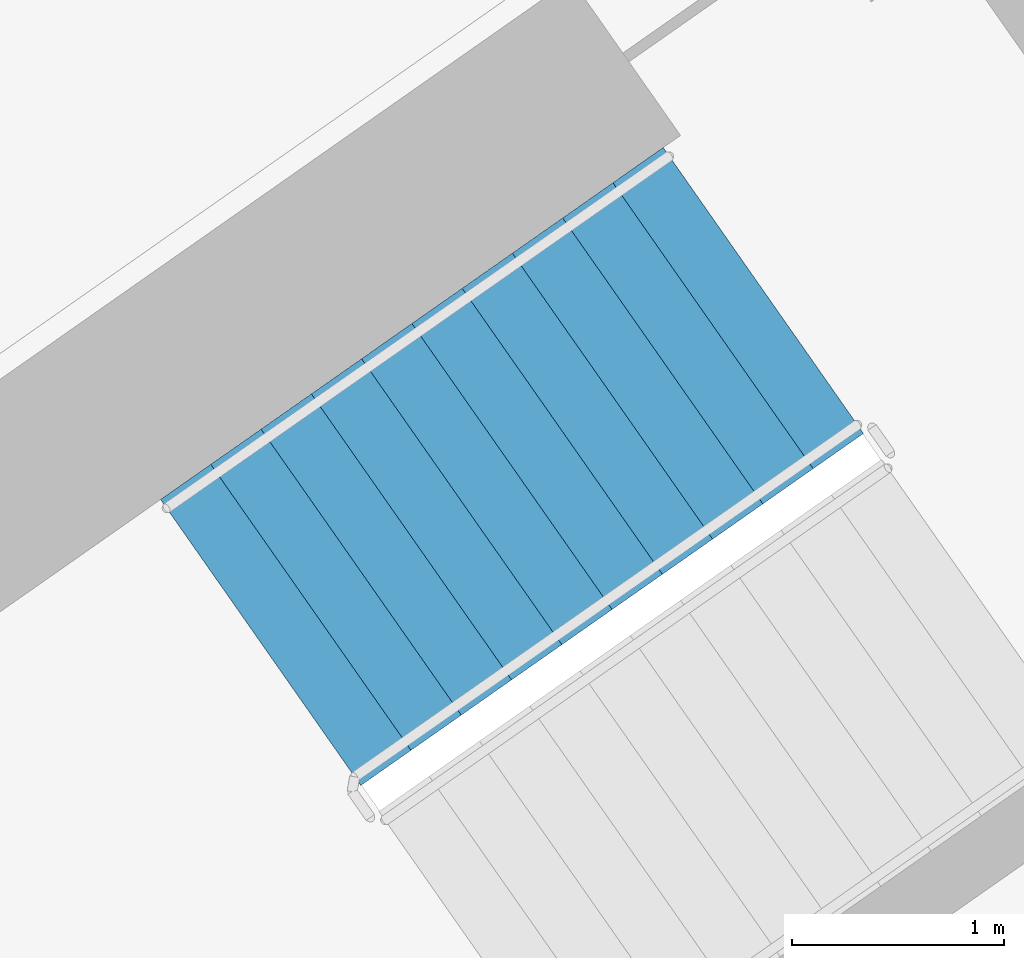
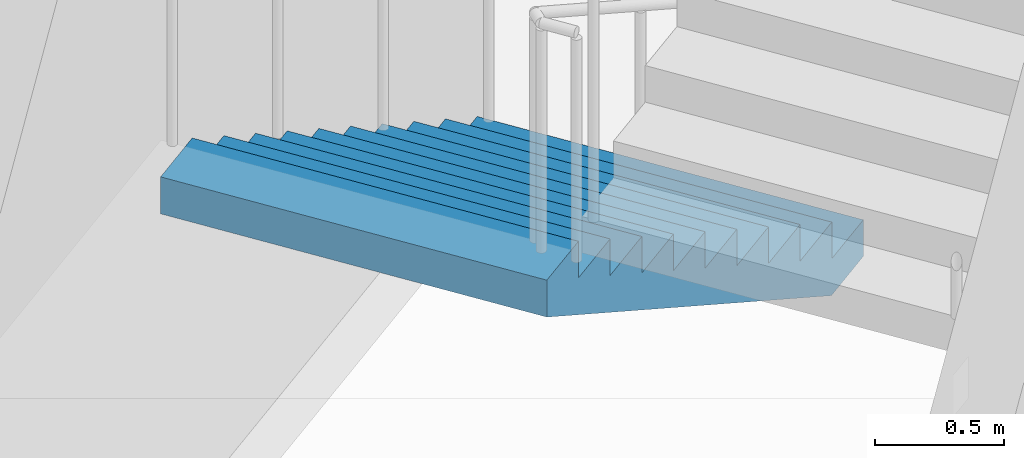
# One storey, part 17 of 31: 1 stair flight, 1 element without a shape of its own.
"""IFC4 building model written with IfcOpenShell, lengths in metres."""

from ifc_helpers import new_model, si_unit, direction, frame, origin, place, context, subcontext, project, spatial, faceted_brep, material, type_object, element, aggregate, save


model = new_model("IFC4")

# Units and contexts
model_context = context("Model", 3, precision=1e-05, world=origin(), true_north=direction((0.0, 1.0)))
body_context = subcontext(model_context, "Body", "Model", "MODEL_VIEW")
ifc_project = project(units=[si_unit("LENGTHUNIT", "METRE"), si_unit("AREAUNIT", "SQUARE_METRE"), si_unit("VOLUMEUNIT", "CUBIC_METRE"), si_unit("PLANEANGLEUNIT", "RADIAN"), si_unit("MASSUNIT", "GRAM", prefix="KILO")], contexts=[model_context])

# Site, building, storey
site_placement = place(None, origin())
site = spatial("IfcSite", under=ifc_project, at=site_placement, CompositionType="ELEMENT")
building_placement = place(site_placement, origin())
building = spatial("IfcBuilding", under=site, at=building_placement, Name="Qamariyya Broadcast Tower", CompositionType="ELEMENT")
storey_placement = place(building_placement, frame((0.0, 0.0, 82.300048828125)))
storey = spatial("IfcBuildingStorey", under=building, at=storey_placement, Name="L17", CompositionType="ELEMENT", Elevation=82.300048828125)

# Stair, stair flight
ifc_material = material(Name="Concrete C50/60", Category="concrete")
stair_type = type_object("IfcStairType", Name="Exit stair 22 risers of 173 mm", PredefinedType="HALF_TURN_STAIR", material=ifc_material)
stair_placement = place(storey_placement, origin())
stair = element("IfcStair", 1, at=stair_placement, inside=storey, type_object=stair_type, Name="L17 Stair E2", PredefinedType="HALF_TURN_STAIR")
stair_flight_type = type_object("IfcStairFlightType", Name="Exit stair flight 11 risers of 173 mm", PredefinedType="STRAIGHT", material=ifc_material)
stair_flight_placement = place(storey_placement, frame((40.558837890625, -47.685302734375, 0.0), z_axis=(0.0, 0.0, 1.0), x_axis=(-0.819152044289, -0.573576436351, 0.0)))
stair_flight = element("IfcStairFlight", 2, at=stair_flight_placement, type_object=stair_flight_type, Name="ST-E2 flight 1", NumberOfRisers=11, NumberOfTreads=10, PredefinedType="STRAIGHT", RiserHeight=0.172727273, TreadLength=0.29, context=body_context, shape_type="Brep", body=[
    faceted_brep([(0.0, 0.824951171875, 0.0), (0.0, 0.824951171875, 0.172607421875), (0.2900390625, 0.824951171875, 0.172607421875), (0.2900390625, 0.824951171875, 0.345458984375), (0.580078125, 0.824951171875, 0.345458984375), (0.580078125, 0.824951171875, 0.51806640625), (0.8701171875, 0.824951171875, 0.51806640625), (0.8701171875, 0.824951171875, 0.69091796875), (1.159912109375, 0.824951171875, 0.69091796875), (1.159912109375, 0.824951171875, 0.863525390625), (1.449951171875, 0.824951171875, 0.863525390625), (1.449951171875, 0.824951171875, 1.036376953125), (1.739990234375, 0.824951171875, 1.036376953125), (1.739990234375, 0.824951171875, 1.208984375), (2.030029296875, 0.824951171875, 1.208984375), (2.030029296875, 0.824951171875, 1.3818359375), (2.320068359375, 0.824951171875, 1.3818359375), (2.320068359375, 0.824951171875, 1.554443359375), (2.610107421875, 0.824951171875, 1.554443359375), (2.610107421875, 0.824951171875, 1.727294921875), (2.89990234375, 0.824951171875, 1.727294921875), (2.89990234375, 0.824951171875, 1.552734375), (0.29296875, 0.824951171875, 0.0), (0.29296875, -0.824951171875, 0.0), (2.89990234375, -0.824951171875, 1.552734375), (2.89990234375, -0.824951171875, 1.727294921875), (2.610107421875, -0.824951171875, 1.727294921875), (2.610107421875, -0.824951171875, 1.554443359375), (2.320068359375, -0.824951171875, 1.554443359375), (2.320068359375, -0.824951171875, 1.3818359375), (2.030029296875, -0.824951171875, 1.3818359375), (2.030029296875, -0.824951171875, 1.208984375), (1.739990234375, -0.824951171875, 1.208984375), (1.739990234375, -0.824951171875, 1.036376953125), (1.449951171875, -0.824951171875, 1.036376953125), (1.449951171875, -0.824951171875, 0.863525390625), (1.159912109375, -0.824951171875, 0.863525390625), (1.159912109375, -0.824951171875, 0.69091796875), (0.8701171875, -0.824951171875, 0.69091796875), (0.8701171875, -0.824951171875, 0.51806640625), (0.580078125, -0.824951171875, 0.51806640625), (0.580078125, -0.824951171875, 0.345458984375), (0.2900390625, -0.824951171875, 0.345458984375), (0.2900390625, -0.824951171875, 0.172607421875), (0.0, -0.824951171875, 0.172607421875), (0.0, -0.824951171875, 0.0), (0.0, 0.10009765625, 0.0), (0.0, 0.086669921875, 0.0), (0.0, 0.0732421875, 0.0), (0.0, 0.06005859375, 0.0), (0.0, 0.046630859375, 0.0), (0.0, 0.033447265625, 0.0), (0.0, 0.02001953125, 0.0), (0.0, 0.006591796875, 0.0), (0.0, -0.006591796875, 0.0), (0.0, -0.02001953125, 0.0), (0.0, -0.033447265625, 0.0), (0.0, -0.046630859375, 0.0), (0.0, -0.06005859375, 0.0), (0.0, -0.0732421875, 0.0), (0.0, -0.086669921875, 0.0), (0.0, -0.10009765625, 0.0), (0.0, -0.10009765625, 0.172607421875), (0.0, -0.086669921875, 0.172607421875), (0.0, -0.0732421875, 0.172607421875), (0.0, -0.06005859375, 0.172607421875), (0.0, -0.046630859375, 0.172607421875), (0.0, -0.033447265625, 0.172607421875), (0.0, -0.02001953125, 0.172607421875), (0.0, -0.006591796875, 0.172607421875), (0.0, 0.006591796875, 0.172607421875), (0.0, 0.02001953125, 0.172607421875), (0.0, 0.033447265625, 0.172607421875), (0.0, 0.046630859375, 0.172607421875), (0.0, 0.06005859375, 0.172607421875), (0.0, 0.0732421875, 0.172607421875), (0.0, 0.086669921875, 0.172607421875), (0.0, 0.10009765625, 0.172607421875), (0.2900390625, -0.10009765625, 0.172607421875), (0.2900390625, -0.086669921875, 0.172607421875), (0.2900390625, -0.0732421875, 0.172607421875), (0.2900390625, -0.06005859375, 0.172607421875), (0.2900390625, -0.046630859375, 0.172607421875), (0.2900390625, -0.033447265625, 0.172607421875), (0.2900390625, -0.02001953125, 0.172607421875), (0.2900390625, -0.006591796875, 0.172607421875), (0.2900390625, 0.006591796875, 0.172607421875), (0.2900390625, 0.02001953125, 0.172607421875), (0.2900390625, 0.033447265625, 0.172607421875), (0.2900390625, 0.046630859375, 0.172607421875), (0.2900390625, 0.06005859375, 0.172607421875), (0.2900390625, 0.0732421875, 0.172607421875), (0.2900390625, 0.086669921875, 0.172607421875), (0.2900390625, 0.10009765625, 0.172607421875), (0.2900390625, -0.10009765625, 0.345458984375), (0.2900390625, -0.086669921875, 0.345458984375), (0.2900390625, -0.0732421875, 0.345458984375), (0.2900390625, -0.06005859375, 0.345458984375), (0.2900390625, -0.046630859375, 0.345458984375), (0.2900390625, -0.033447265625, 0.345458984375), (0.2900390625, -0.02001953125, 0.345458984375), (0.2900390625, -0.006591796875, 0.345458984375), (0.2900390625, 0.006591796875, 0.345458984375), (0.2900390625, 0.02001953125, 0.345458984375), (0.2900390625, 0.033447265625, 0.345458984375), (0.2900390625, 0.046630859375, 0.345458984375), (0.2900390625, 0.06005859375, 0.345458984375), (0.2900390625, 0.0732421875, 0.345458984375), (0.2900390625, 0.086669921875, 0.345458984375), (0.2900390625, 0.10009765625, 0.345458984375), (0.580078125, -0.10009765625, 0.345458984375), (0.580078125, -0.086669921875, 0.345458984375), (0.580078125, -0.0732421875, 0.345458984375), (0.580078125, -0.06005859375, 0.345458984375), (0.580078125, -0.046630859375, 0.345458984375), (0.580078125, -0.033447265625, 0.345458984375), (0.580078125, -0.02001953125, 0.345458984375), (0.580078125, -0.006591796875, 0.345458984375), (0.580078125, 0.006591796875, 0.345458984375), (0.580078125, 0.02001953125, 0.345458984375), (0.580078125, 0.033447265625, 0.345458984375), (0.580078125, 0.046630859375, 0.345458984375), (0.580078125, 0.06005859375, 0.345458984375), (0.580078125, 0.0732421875, 0.345458984375), (0.580078125, 0.086669921875, 0.345458984375), (0.580078125, 0.10009765625, 0.345458984375), (0.580078125, -0.10009765625, 0.51806640625), (0.580078125, -0.086669921875, 0.51806640625), (0.580078125, -0.0732421875, 0.51806640625), (0.580078125, -0.06005859375, 0.51806640625), (0.580078125, -0.046630859375, 0.51806640625), (0.580078125, -0.033447265625, 0.51806640625), (0.580078125, -0.02001953125, 0.51806640625), (0.580078125, -0.006591796875, 0.51806640625), (0.580078125, 0.006591796875, 0.51806640625), (0.580078125, 0.02001953125, 0.51806640625), (0.580078125, 0.033447265625, 0.51806640625), (0.580078125, 0.046630859375, 0.51806640625), (0.580078125, 0.06005859375, 0.51806640625), (0.580078125, 0.0732421875, 0.51806640625), (0.580078125, 0.086669921875, 0.51806640625), (0.580078125, 0.10009765625, 0.51806640625), (0.8701171875, -0.10009765625, 0.51806640625), (0.8701171875, -0.086669921875, 0.51806640625), (0.8701171875, -0.0732421875, 0.51806640625), (0.8701171875, -0.06005859375, 0.51806640625), (0.8701171875, -0.046630859375, 0.51806640625), (0.8701171875, -0.033447265625, 0.51806640625), (0.8701171875, -0.02001953125, 0.51806640625), (0.8701171875, -0.006591796875, 0.51806640625), (0.8701171875, 0.006591796875, 0.51806640625), (0.8701171875, 0.02001953125, 0.51806640625), (0.8701171875, 0.033447265625, 0.51806640625), (0.8701171875, 0.046630859375, 0.51806640625), (0.8701171875, 0.06005859375, 0.51806640625), (0.8701171875, 0.0732421875, 0.51806640625), (0.8701171875, 0.086669921875, 0.51806640625), (0.8701171875, 0.10009765625, 0.51806640625), (0.8701171875, -0.10009765625, 0.69091796875), (0.8701171875, -0.086669921875, 0.69091796875), (0.8701171875, -0.0732421875, 0.69091796875), (0.8701171875, -0.06005859375, 0.69091796875), (0.8701171875, -0.046630859375, 0.69091796875), (0.8701171875, -0.033447265625, 0.69091796875), (0.8701171875, -0.02001953125, 0.69091796875), (0.8701171875, -0.006591796875, 0.69091796875), (0.8701171875, 0.006591796875, 0.69091796875), (0.8701171875, 0.02001953125, 0.69091796875), (0.8701171875, 0.033447265625, 0.69091796875), (0.8701171875, 0.046630859375, 0.69091796875), (0.8701171875, 0.06005859375, 0.69091796875), (0.8701171875, 0.0732421875, 0.69091796875), (0.8701171875, 0.086669921875, 0.69091796875), (0.8701171875, 0.10009765625, 0.69091796875), (1.159912109375, -0.10009765625, 0.69091796875), (1.159912109375, -0.086669921875, 0.69091796875), (1.159912109375, -0.0732421875, 0.69091796875), (1.159912109375, -0.06005859375, 0.69091796875), (1.159912109375, -0.046630859375, 0.69091796875), (1.159912109375, -0.033447265625, 0.69091796875), (1.159912109375, -0.02001953125, 0.69091796875), (1.159912109375, -0.006591796875, 0.69091796875), (1.159912109375, 0.006591796875, 0.69091796875), (1.159912109375, 0.02001953125, 0.69091796875), (1.159912109375, 0.033447265625, 0.69091796875), (1.159912109375, 0.046630859375, 0.69091796875), (1.159912109375, 0.06005859375, 0.69091796875), (1.159912109375, 0.0732421875, 0.69091796875), (1.159912109375, 0.086669921875, 0.69091796875), (1.159912109375, 0.10009765625, 0.69091796875), (1.159912109375, -0.10009765625, 0.863525390625), (1.159912109375, -0.086669921875, 0.863525390625), (1.159912109375, -0.0732421875, 0.863525390625), (1.159912109375, -0.06005859375, 0.863525390625), (1.159912109375, -0.046630859375, 0.863525390625), (1.159912109375, -0.033447265625, 0.863525390625), (1.159912109375, -0.02001953125, 0.863525390625), (1.159912109375, -0.006591796875, 0.863525390625), (1.159912109375, 0.006591796875, 0.863525390625), (1.159912109375, 0.02001953125, 0.863525390625), (1.159912109375, 0.033447265625, 0.863525390625), (1.159912109375, 0.046630859375, 0.863525390625), (1.159912109375, 0.06005859375, 0.863525390625), (1.159912109375, 0.0732421875, 0.863525390625), (1.159912109375, 0.086669921875, 0.863525390625), (1.159912109375, 0.10009765625, 0.863525390625), (1.449951171875, -0.10009765625, 0.863525390625), (1.449951171875, -0.086669921875, 0.863525390625), (1.449951171875, -0.0732421875, 0.863525390625), (1.449951171875, -0.06005859375, 0.863525390625), (1.449951171875, -0.046630859375, 0.863525390625), (1.449951171875, -0.033447265625, 0.863525390625), (1.449951171875, -0.02001953125, 0.863525390625), (1.449951171875, -0.006591796875, 0.863525390625), (1.449951171875, 0.006591796875, 0.863525390625), (1.449951171875, 0.02001953125, 0.863525390625), (1.449951171875, 0.033447265625, 0.863525390625), (1.449951171875, 0.046630859375, 0.863525390625), (1.449951171875, 0.06005859375, 0.863525390625), (1.449951171875, 0.0732421875, 0.863525390625), (1.449951171875, 0.086669921875, 0.863525390625), (1.449951171875, 0.10009765625, 0.863525390625), (1.449951171875, -0.10009765625, 1.036376953125), (1.449951171875, -0.086669921875, 1.036376953125), (1.449951171875, -0.0732421875, 1.036376953125), (1.449951171875, -0.06005859375, 1.036376953125), (1.449951171875, -0.046630859375, 1.036376953125), (1.449951171875, -0.033447265625, 1.036376953125), (1.449951171875, -0.02001953125, 1.036376953125), (1.449951171875, -0.006591796875, 1.036376953125), (1.449951171875, 0.006591796875, 1.036376953125), (1.449951171875, 0.02001953125, 1.036376953125), (1.449951171875, 0.033447265625, 1.036376953125), (1.449951171875, 0.046630859375, 1.036376953125), (1.449951171875, 0.06005859375, 1.036376953125), (1.449951171875, 0.0732421875, 1.036376953125), (1.449951171875, 0.086669921875, 1.036376953125), (1.449951171875, 0.10009765625, 1.036376953125), (1.739990234375, -0.10009765625, 1.036376953125), (1.739990234375, -0.086669921875, 1.036376953125), (1.739990234375, -0.0732421875, 1.036376953125), (1.739990234375, -0.06005859375, 1.036376953125), (1.739990234375, -0.046630859375, 1.036376953125), (1.739990234375, -0.033447265625, 1.036376953125), (1.739990234375, -0.02001953125, 1.036376953125), (1.739990234375, -0.006591796875, 1.036376953125), (1.739990234375, 0.006591796875, 1.036376953125), (1.739990234375, 0.02001953125, 1.036376953125), (1.739990234375, 0.033447265625, 1.036376953125), (1.739990234375, 0.046630859375, 1.036376953125), (1.739990234375, 0.06005859375, 1.036376953125), (1.739990234375, 0.0732421875, 1.036376953125), (1.739990234375, 0.086669921875, 1.036376953125), (1.739990234375, 0.10009765625, 1.036376953125), (1.739990234375, -0.10009765625, 1.208984375), (1.739990234375, -0.086669921875, 1.208984375), (1.739990234375, -0.0732421875, 1.208984375), (1.739990234375, -0.06005859375, 1.208984375), (1.739990234375, -0.046630859375, 1.208984375), (1.739990234375, -0.033447265625, 1.208984375), (1.739990234375, -0.02001953125, 1.208984375), (1.739990234375, -0.006591796875, 1.208984375), (1.739990234375, 0.006591796875, 1.208984375), (1.739990234375, 0.02001953125, 1.208984375), (1.739990234375, 0.033447265625, 1.208984375), (1.739990234375, 0.046630859375, 1.208984375), (1.739990234375, 0.06005859375, 1.208984375), (1.739990234375, 0.0732421875, 1.208984375), (1.739990234375, 0.086669921875, 1.208984375), (1.739990234375, 0.10009765625, 1.208984375), (2.030029296875, -0.10009765625, 1.208984375), (2.030029296875, -0.086669921875, 1.208984375), (2.030029296875, -0.0732421875, 1.208984375), (2.030029296875, -0.06005859375, 1.208984375), (2.030029296875, -0.046630859375, 1.208984375), (2.030029296875, -0.033447265625, 1.208984375), (2.030029296875, -0.02001953125, 1.208984375), (2.030029296875, -0.006591796875, 1.208984375), (2.030029296875, 0.006591796875, 1.208984375), (2.030029296875, 0.02001953125, 1.208984375), (2.030029296875, 0.033447265625, 1.208984375), (2.030029296875, 0.046630859375, 1.208984375), (2.030029296875, 0.06005859375, 1.208984375), (2.030029296875, 0.0732421875, 1.208984375), (2.030029296875, 0.086669921875, 1.208984375), (2.030029296875, 0.10009765625, 1.208984375), (2.030029296875, -0.10009765625, 1.3818359375), (2.030029296875, -0.086669921875, 1.3818359375), (2.030029296875, -0.0732421875, 1.3818359375), (2.030029296875, -0.06005859375, 1.3818359375), (2.030029296875, -0.046630859375, 1.3818359375), (2.030029296875, -0.033447265625, 1.3818359375), (2.030029296875, -0.02001953125, 1.3818359375), (2.030029296875, -0.006591796875, 1.3818359375), (2.030029296875, 0.006591796875, 1.3818359375), (2.030029296875, 0.02001953125, 1.3818359375), (2.030029296875, 0.033447265625, 1.3818359375), (2.030029296875, 0.046630859375, 1.3818359375), (2.030029296875, 0.06005859375, 1.3818359375), (2.030029296875, 0.0732421875, 1.3818359375), (2.030029296875, 0.086669921875, 1.3818359375), (2.030029296875, 0.10009765625, 1.3818359375), (2.320068359375, -0.10009765625, 1.3818359375), (2.320068359375, -0.086669921875, 1.3818359375), (2.320068359375, -0.0732421875, 1.3818359375), (2.320068359375, -0.06005859375, 1.3818359375), (2.320068359375, -0.046630859375, 1.3818359375), (2.320068359375, -0.033447265625, 1.3818359375), (2.320068359375, -0.02001953125, 1.3818359375), (2.320068359375, -0.006591796875, 1.3818359375), (2.320068359375, 0.006591796875, 1.3818359375), (2.320068359375, 0.02001953125, 1.3818359375), (2.320068359375, 0.033447265625, 1.3818359375), (2.320068359375, 0.046630859375, 1.3818359375), (2.320068359375, 0.06005859375, 1.3818359375), (2.320068359375, 0.0732421875, 1.3818359375), (2.320068359375, 0.086669921875, 1.3818359375), (2.320068359375, 0.10009765625, 1.3818359375), (2.320068359375, -0.10009765625, 1.554443359375), (2.320068359375, -0.086669921875, 1.554443359375), (2.320068359375, -0.0732421875, 1.554443359375), (2.320068359375, -0.06005859375, 1.554443359375), (2.320068359375, -0.046630859375, 1.554443359375), (2.320068359375, -0.033447265625, 1.554443359375), (2.320068359375, -0.02001953125, 1.554443359375), (2.320068359375, -0.006591796875, 1.554443359375), (2.320068359375, 0.006591796875, 1.554443359375), (2.320068359375, 0.02001953125, 1.554443359375), (2.320068359375, 0.033447265625, 1.554443359375), (2.320068359375, 0.046630859375, 1.554443359375), (2.320068359375, 0.06005859375, 1.554443359375), (2.320068359375, 0.0732421875, 1.554443359375), (2.320068359375, 0.086669921875, 1.554443359375), (2.320068359375, 0.10009765625, 1.554443359375), (2.610107421875, -0.10009765625, 1.554443359375), (2.610107421875, -0.086669921875, 1.554443359375), (2.610107421875, -0.0732421875, 1.554443359375), (2.610107421875, -0.06005859375, 1.554443359375), (2.610107421875, -0.046630859375, 1.554443359375), (2.610107421875, -0.033447265625, 1.554443359375), (2.610107421875, -0.02001953125, 1.554443359375), (2.610107421875, -0.006591796875, 1.554443359375), (2.610107421875, 0.006591796875, 1.554443359375), (2.610107421875, 0.02001953125, 1.554443359375), (2.610107421875, 0.033447265625, 1.554443359375), (2.610107421875, 0.046630859375, 1.554443359375), (2.610107421875, 0.06005859375, 1.554443359375), (2.610107421875, 0.0732421875, 1.554443359375), (2.610107421875, 0.086669921875, 1.554443359375), (2.610107421875, 0.10009765625, 1.554443359375), (2.610107421875, -0.10009765625, 1.727294921875), (2.610107421875, -0.086669921875, 1.727294921875), (2.610107421875, -0.0732421875, 1.727294921875), (2.610107421875, -0.06005859375, 1.727294921875), (2.610107421875, -0.046630859375, 1.727294921875), (2.610107421875, -0.033447265625, 1.727294921875), (2.610107421875, -0.02001953125, 1.727294921875), (2.610107421875, -0.006591796875, 1.727294921875), (2.610107421875, 0.006591796875, 1.727294921875), (2.610107421875, 0.02001953125, 1.727294921875), (2.610107421875, 0.033447265625, 1.727294921875), (2.610107421875, 0.046630859375, 1.727294921875), (2.610107421875, 0.06005859375, 1.727294921875), (2.610107421875, 0.0732421875, 1.727294921875), (2.610107421875, 0.086669921875, 1.727294921875), (2.610107421875, 0.10009765625, 1.727294921875), (2.89990234375, -0.10009765625, 1.727294921875), (2.89990234375, -0.086669921875, 1.727294921875), (2.89990234375, -0.0732421875, 1.727294921875), (2.89990234375, -0.06005859375, 1.727294921875), (2.89990234375, -0.046630859375, 1.727294921875), (2.89990234375, -0.033447265625, 1.727294921875), (2.89990234375, -0.02001953125, 1.727294921875), (2.89990234375, -0.006591796875, 1.727294921875), (2.89990234375, 0.006591796875, 1.727294921875), (2.89990234375, 0.02001953125, 1.727294921875), (2.89990234375, 0.033447265625, 1.727294921875), (2.89990234375, 0.046630859375, 1.727294921875), (2.89990234375, 0.06005859375, 1.727294921875), (2.89990234375, 0.0732421875, 1.727294921875), (2.89990234375, 0.086669921875, 1.727294921875), (2.89990234375, 0.10009765625, 1.727294921875), (2.89990234375, -0.10009765625, 1.552734375), (2.89990234375, -0.086669921875, 1.552734375), (2.89990234375, -0.0732421875, 1.552734375), (2.89990234375, -0.06005859375, 1.552734375), (2.89990234375, -0.046630859375, 1.552734375), (2.89990234375, -0.033447265625, 1.552734375), (2.89990234375, -0.02001953125, 1.552734375), (2.89990234375, -0.006591796875, 1.552734375), (2.89990234375, 0.006591796875, 1.552734375), (2.89990234375, 0.02001953125, 1.552734375), (2.89990234375, 0.033447265625, 1.552734375), (2.89990234375, 0.046630859375, 1.552734375), (2.89990234375, 0.06005859375, 1.552734375), (2.89990234375, 0.0732421875, 1.552734375), (2.89990234375, 0.086669921875, 1.552734375), (2.89990234375, 0.10009765625, 1.552734375), (0.29296875, -0.10009765625, 0.0), (0.29296875, -0.086669921875, 0.0), (0.29296875, -0.0732421875, 0.0), (0.29296875, -0.06005859375, 0.0), (0.29296875, -0.046630859375, 0.0), (0.29296875, -0.033447265625, 0.0), (0.29296875, -0.02001953125, 0.0), (0.29296875, -0.006591796875, 0.0), (0.29296875, 0.006591796875, 0.0), (0.29296875, 0.02001953125, 0.0), (0.29296875, 0.033447265625, 0.0), (0.29296875, 0.046630859375, 0.0), (0.29296875, 0.06005859375, 0.0), (0.29296875, 0.0732421875, 0.0), (0.29296875, 0.086669921875, 0.0), (0.29296875, 0.10009765625, 0.0)], [[[0, 1, 2, 3, 4, 5, 6, 7, 8, 9, 10, 11, 12, 13, 14, 15, 16, 17, 18, 19, 20, 21, 22]], [[23, 24, 25, 26, 27, 28, 29, 30, 31, 32, 33, 34, 35, 36, 37, 38, 39, 40, 41, 42, 43, 44, 45]], [[0, 46, 47, 48, 49, 50, 51, 52, 53, 54, 55, 56, 57, 58, 59, 60, 61, 45, 44, 62, 63, 64, 65, 66, 67, 68, 69, 70, 71, 72, 73, 74, 75, 76, 77, 1]], [[1, 77, 76, 75, 74, 73, 72, 71, 70, 69, 68, 67, 66, 65, 64, 63, 62, 44, 43, 78, 79, 80, 81, 82, 83, 84, 85, 86, 87, 88, 89, 90, 91, 92, 93, 2]], [[2, 93, 92, 91, 90, 89, 88, 87, 86, 85, 84, 83, 82, 81, 80, 79, 78, 43, 42, 94, 95, 96, 97, 98, 99, 100, 101, 102, 103, 104, 105, 106, 107, 108, 109, 3]], [[3, 109, 108, 107, 106, 105, 104, 103, 102, 101, 100, 99, 98, 97, 96, 95, 94, 42, 41, 110, 111, 112, 113, 114, 115, 116, 117, 118, 119, 120, 121, 122, 123, 124, 125, 4]], [[4, 125, 124, 123, 122, 121, 120, 119, 118, 117, 116, 115, 114, 113, 112, 111, 110, 41, 40, 126, 127, 128, 129, 130, 131, 132, 133, 134, 135, 136, 137, 138, 139, 140, 141, 5]], [[5, 141, 140, 139, 138, 137, 136, 135, 134, 133, 132, 131, 130, 129, 128, 127, 126, 40, 39, 142, 143, 144, 145, 146, 147, 148, 149, 150, 151, 152, 153, 154, 155, 156, 157, 6]], [[6, 157, 156, 155, 154, 153, 152, 151, 150, 149, 148, 147, 146, 145, 144, 143, 142, 39, 38, 158, 159, 160, 161, 162, 163, 164, 165, 166, 167, 168, 169, 170, 171, 172, 173, 7]], [[7, 173, 172, 171, 170, 169, 168, 167, 166, 165, 164, 163, 162, 161, 160, 159, 158, 38, 37, 174, 175, 176, 177, 178, 179, 180, 181, 182, 183, 184, 185, 186, 187, 188, 189, 8]], [[8, 189, 188, 187, 186, 185, 184, 183, 182, 181, 180, 179, 178, 177, 176, 175, 174, 37, 36, 190, 191, 192, 193, 194, 195, 196, 197, 198, 199, 200, 201, 202, 203, 204, 205, 9]], [[9, 205, 204, 203, 202, 201, 200, 199, 198, 197, 196, 195, 194, 193, 192, 191, 190, 36, 35, 206, 207, 208, 209, 210, 211, 212, 213, 214, 215, 216, 217, 218, 219, 220, 221, 10]], [[10, 221, 220, 219, 218, 217, 216, 215, 214, 213, 212, 211, 210, 209, 208, 207, 206, 35, 34, 222, 223, 224, 225, 226, 227, 228, 229, 230, 231, 232, 233, 234, 235, 236, 237, 11]], [[11, 237, 236, 235, 234, 233, 232, 231, 230, 229, 228, 227, 226, 225, 224, 223, 222, 34, 33, 238, 239, 240, 241, 242, 243, 244, 245, 246, 247, 248, 249, 250, 251, 252, 253, 12]], [[12, 253, 252, 251, 250, 249, 248, 247, 246, 245, 244, 243, 242, 241, 240, 239, 238, 33, 32, 254, 255, 256, 257, 258, 259, 260, 261, 262, 263, 264, 265, 266, 267, 268, 269, 13]], [[13, 269, 268, 267, 266, 265, 264, 263, 262, 261, 260, 259, 258, 257, 256, 255, 254, 32, 31, 270, 271, 272, 273, 274, 275, 276, 277, 278, 279, 280, 281, 282, 283, 284, 285, 14]], [[14, 285, 284, 283, 282, 281, 280, 279, 278, 277, 276, 275, 274, 273, 272, 271, 270, 31, 30, 286, 287, 288, 289, 290, 291, 292, 293, 294, 295, 296, 297, 298, 299, 300, 301, 15]], [[15, 301, 300, 299, 298, 297, 296, 295, 294, 293, 292, 291, 290, 289, 288, 287, 286, 30, 29, 302, 303, 304, 305, 306, 307, 308, 309, 310, 311, 312, 313, 314, 315, 316, 317, 16]], [[16, 317, 316, 315, 314, 313, 312, 311, 310, 309, 308, 307, 306, 305, 304, 303, 302, 29, 28, 318, 319, 320, 321, 322, 323, 324, 325, 326, 327, 328, 329, 330, 331, 332, 333, 17]], [[17, 333, 332, 331, 330, 329, 328, 327, 326, 325, 324, 323, 322, 321, 320, 319, 318, 28, 27, 334, 335, 336, 337, 338, 339, 340, 341, 342, 343, 344, 345, 346, 347, 348, 349, 18]], [[18, 349, 348, 347, 346, 345, 344, 343, 342, 341, 340, 339, 338, 337, 336, 335, 334, 27, 26, 350, 351, 352, 353, 354, 355, 356, 357, 358, 359, 360, 361, 362, 363, 364, 365, 19]], [[19, 365, 364, 363, 362, 361, 360, 359, 358, 357, 356, 355, 354, 353, 352, 351, 350, 26, 25, 366, 367, 368, 369, 370, 371, 372, 373, 374, 375, 376, 377, 378, 379, 380, 381, 20]], [[20, 381, 380, 379, 378, 377, 376, 375, 374, 373, 372, 371, 370, 369, 368, 367, 366, 25, 24, 382, 383, 384, 385, 386, 387, 388, 389, 390, 391, 392, 393, 394, 395, 396, 397, 21]], [[21, 397, 396, 395, 394, 393, 392, 391, 390, 389, 388, 387, 386, 385, 384, 383, 382, 24, 23, 398, 399, 400, 401, 402, 403, 404, 405, 406, 407, 408, 409, 410, 411, 412, 413, 22]], [[22, 413, 412, 411, 410, 409, 408, 407, 406, 405, 404, 403, 402, 401, 400, 399, 398, 23, 45, 61, 60, 59, 58, 57, 56, 55, 54, 53, 52, 51, 50, 49, 48, 47, 46, 0]]]),
])
aggregate(stair, [stair_flight])

save(model, "model.ifc")
